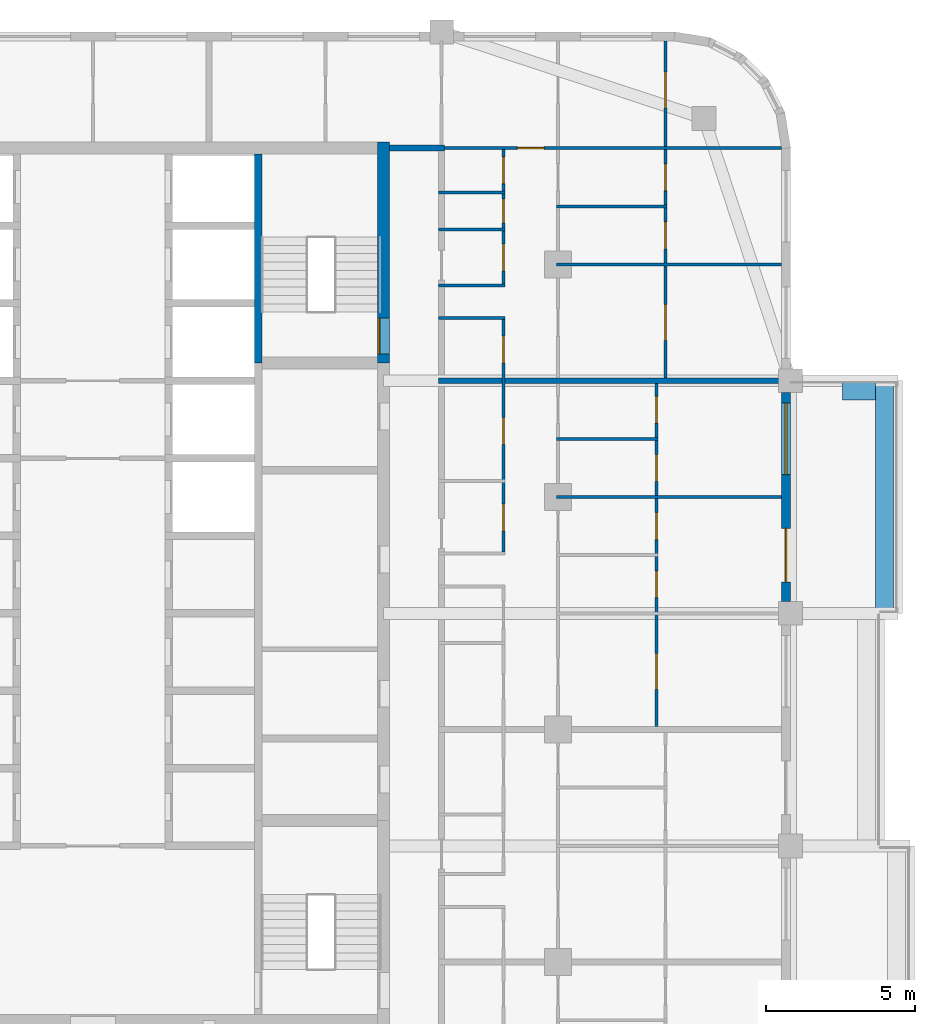
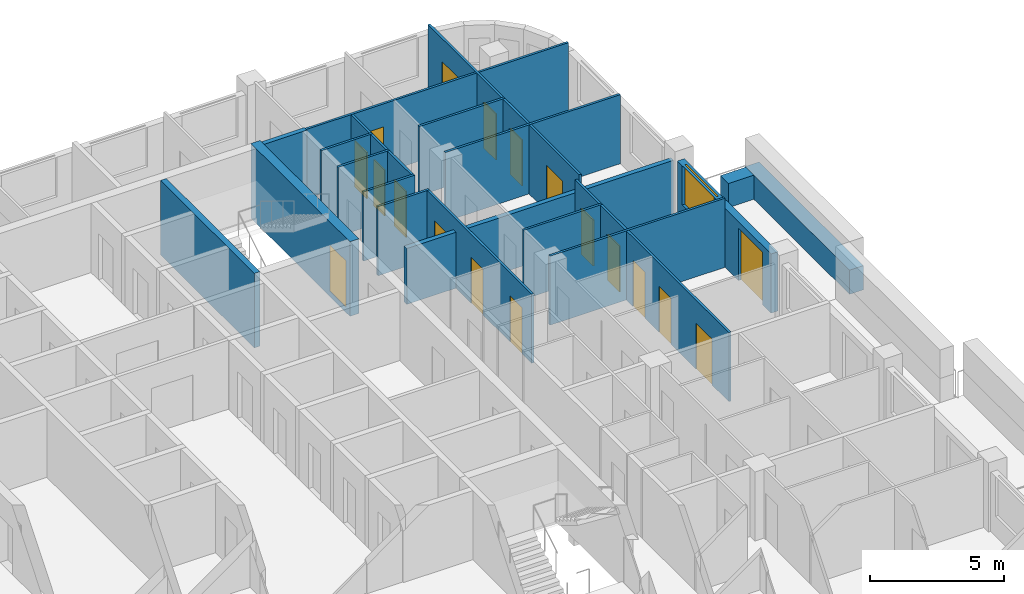
# One storey, part 11 of 17: 20 walls, 18 doors, 1 window, 19 openings.
"""IFC4 building model written with IfcOpenShell, lengths in metres."""

from ifc_helpers import new_model, si_unit, direction, frame, frame_2d, origin, place, context, subcontext, project, spatial, rectangle, extrude, material, layer, layer_set, type_object, element, fill, save


model = new_model("IFC4")

# Units and contexts
model_context = context("Model", 3, precision=1e-05, world=origin(), true_north=direction((0.0, 1.0)))
body_context = subcontext(model_context, "Body", "Model", "MODEL_VIEW")
ifc_project = project(units=[si_unit("LENGTHUNIT", "METRE"), si_unit("AREAUNIT", "SQUARE_METRE"), si_unit("VOLUMEUNIT", "CUBIC_METRE"), si_unit("PLANEANGLEUNIT", "RADIAN"), si_unit("MASSUNIT", "GRAM", prefix="KILO")], contexts=[model_context])

# Site, building, storey
site_placement = place(None, origin())
site = spatial("IfcSite", under=ifc_project, at=site_placement, CompositionType="ELEMENT")
building_placement = place(site_placement, origin())
building = spatial("IfcBuilding", under=site, at=building_placement, Name="Ludao Terraces", CompositionType="ELEMENT")
storey_placement = place(building_placement, frame((0.0, 0.0, 221.10009765625)))
storey = spatial("IfcBuildingStorey", under=building, at=storey_placement, Name="L60", CompositionType="ELEMENT", Elevation=221.10009765625)

# Wall, opening, door
ifc_material_1 = material(Name="Concrete C50", Category="concrete")
ifc_layer_1 = layer(ifc_material_1, 0.39990234375)
ifc_layer_set_1 = layer_set([ifc_layer_1], Name="Core wall 400 C50")
wall_type_1 = type_object("IfcWallType", Name="Core wall 400 C50", PredefinedType="SOLIDWALL", material=ifc_layer_set_1)
wall_1_placement = place(storey_placement, frame((94.75, 77.300048828125, -0.25), z_axis=(0.0, 0.0, 1.0), x_axis=(0.0, 1.0, 0.0)))
wall_1 = element("IfcWall", 1, at=wall_1_placement, inside=storey, type_object=wall_type_1, Name="Core wall L60 outer-E-S2", PredefinedType="SOLIDWALL", context=body_context, shape_type="SweptSolid", body=[
    extrude(rectangle(XDim=7.39990234375, YDim=0.39990234375, at=frame_2d((3.699951171875, 0.0))), origin(), (0.0, 0.0, 1.0), 3.39990234375),
])
opening_1_placement = place(wall_1_placement, frame((0.300048828125, 0.0, 0.25)))
opening_1 = element("IfcOpeningElement", 2, at=opening_1_placement, cuts=wall_1, Name="Opening R21-111", PredefinedType="OPENING", context=body_context, shape_type="SweptSolid", body=[
    extrude(rectangle(XDim=1.199951171875, YDim=2.10009765625, at=frame_2d((0.60009765625, 1.050048828125))), frame((0.0, 0.2099609375, 0.0), z_axis=(0.0, -1.0, 0.0), x_axis=(1.0, 0.0, 0.0)), (0.0, 0.0, 1.0), 0.419921875),
])
ifc_material_2 = material(Name="Steel Q235", Category="steel")
door_type_1 = type_object("IfcDoorType", Name="INT Stair door 1200", OperationType="DOUBLE_DOOR_SINGLE_SWING", PredefinedType="DOOR", material=ifc_material_2)
door_1_placement = place(opening_1_placement, origin())
door_1 = element("IfcDoor", 3, at=door_1_placement, inside=storey, type_object=door_type_1, Name="DOOR 111", OperationType="DOUBLE_DOOR_SINGLE_SWING", OverallHeight=2.10009765625, OverallWidth=1.199951171875, PredefinedType="DOOR", context=body_context, shape_type="SweptSolid", body=[
    extrude(rectangle(XDim=1.199951171875, YDim=2.10009765625, at=frame_2d((0.60009765625, 1.050048828125))), frame((0.0, 0.18505859375, 0.0), z_axis=(0.0, -1.0, 0.0), x_axis=(1.0, 0.0, 0.0)), (0.0, 0.0, 1.0), 0.050048828125),
])
fill(opening_1, door_1)

# Walls
ifc_material_3 = material(Name="Concrete C40", Category="concrete")
ifc_layer_2 = layer(ifc_material_3, 0.60009765625)
ifc_layer_set_2 = layer_set([ifc_layer_2], Name="ENV Planter trough 600")
wall_type_2 = type_object("IfcWallType", Name="ENV Planter trough 600", PredefinedType="USERDEFINED", material=ifc_layer_set_2)
wall_2_placement = place(storey_placement, frame((111.550048828125, 68.89990234375, 0.0), z_axis=(0.0, 0.0, 1.0), x_axis=(0.0, 1.0, 0.0)))
element("IfcWall", 4, at=wall_2_placement, inside=storey, type_object=wall_type_2, Name="PL-L60-E3", ObjectType="PLANTER", PredefinedType="USERDEFINED", context=body_context, shape_type="SweptSolid", body=[
    extrude(rectangle(XDim=7.800048828125, YDim=0.60009765625, at=frame_2d((3.89990234375, 0.0))), origin(), (0.0, 0.0, 1.0), 1.099853515625),
])
wall_3_placement = place(storey_placement, frame((111.25, 76.35009765625, 0.0), z_axis=(0.0, 0.0, 1.0), x_axis=(-1.0, 0.0, 0.0)))
element("IfcWall", 5, at=wall_3_placement, inside=storey, type_object=wall_type_2, Name="PL-L60-E3-SB", ObjectType="PLANTER", PredefinedType="USERDEFINED", context=body_context, shape_type="SweptSolid", body=[
    extrude(rectangle(XDim=1.10009765625, YDim=0.60009765625, at=frame_2d((0.550048828125, 0.0))), origin(), (0.0, 0.0, 1.0), 1.099853515625),
])

# Wall, openings, door, window
ifc_material_4 = material(Name="Granite cladding", Category="masonry")
ifc_layer_3 = layer(ifc_material_4, 0.0400390625, Category="stone")
ifc_material_5 = material(Name="Mineral wool")
ifc_layer_4 = layer(ifc_material_5, 0.06005859375)
ifc_layer_5 = layer(ifc_material_3, 0.199951171875, Category="concrete")
ifc_layer_set_3 = layer_set([ifc_layer_3, ifc_layer_4, ifc_layer_5], Name="ENV Stone-clad wall 300")
wall_type_3 = type_object("IfcWallType", Name="ENV Stone-clad wall 300", PredefinedType="SOLIDWALL", material=ifc_layer_set_3)
wall_4_placement = place(storey_placement, frame((108.25, 69.300048828125, 0.0), z_axis=(0.0, 0.0, 1.0), x_axis=(0.0, 1.0, 0.0)))
wall_4 = element("IfcWall", 6, at=wall_4_placement, inside=storey, type_object=wall_type_3, Name="EW-L60-E4", PredefinedType="SOLIDWALL", context=body_context, shape_type="SweptSolid", body=[
    extrude(rectangle(XDim=7.0, YDim=0.300048828125, at=frame_2d((3.5, 0.0))), origin(), (0.0, 0.0, 1.0), 2.699951171875),
])
opening_2_placement = place(wall_4_placement, frame((0.64990234375, 0.0, 0.0)))
opening_2 = element("IfcOpeningElement", 7, at=opening_2_placement, cuts=wall_4, Name="Opening BD", PredefinedType="OPENING", context=body_context, shape_type="SweptSolid", body=[
    extrude(rectangle(XDim=1.800048828125, YDim=2.39990234375, at=frame_2d((0.89990234375, 1.199951171875))), frame((0.0, 0.16015625, 0.0), z_axis=(0.0, -1.0, 0.0), x_axis=(1.0, 0.0, 0.0)), (0.0, 0.0, 1.0), 0.320068359375),
])
opening_3_placement = place(wall_4_placement, frame((4.25, 0.0, 0.89990234375)))
opening_3 = element("IfcOpeningElement", 8, at=opening_3_placement, cuts=wall_4, Name="Opening W1", PredefinedType="OPENING", context=body_context, shape_type="SweptSolid", body=[
    extrude(rectangle(XDim=2.39990234375, YDim=1.800048828125, at=frame_2d((1.199951171875, 0.89990234375))), frame((0.0, 0.16015625, 0.0), z_axis=(0.0, -1.0, 0.0), x_axis=(1.0, 0.0, 0.0)), (0.0, 0.0, 1.0), 0.320068359375),
])
ifc_material_6 = material(Name="Aluminium glazed door", Category="aluminium")
ifc_layer_6 = layer(ifc_material_6, 0.06005859375)
ifc_layer_set_4 = layer_set([ifc_layer_6], Name="ENV Balcony door BD 1800x2400")
door_type_2 = type_object("IfcDoorType", Name="ENV Balcony door BD 1800x2400", OperationType="DOUBLE_DOOR_SINGLE_SWING", PredefinedType="DOOR", material=ifc_layer_set_4)
door_2_placement = place(opening_2_placement, origin())
door_2 = element("IfcDoor", 9, at=door_2_placement, inside=storey, type_object=door_type_2, Name="BD-L60-E4-1", OperationType="DOUBLE_DOOR_SINGLE_SWING", OverallHeight=2.39990234375, OverallWidth=1.800048828125, PredefinedType="DOOR", context=body_context, shape_type="SweptSolid", body=[
    extrude(rectangle(XDim=1.800048828125, YDim=2.39990234375, at=frame_2d((0.89990234375, 1.199951171875))), frame((0.0, 0.02490234375, 0.0), z_axis=(0.0, -1.0, 0.0), x_axis=(1.0, 0.0, 0.0)), (0.0, 0.0, 1.0), 0.050048828125),
])
fill(opening_2, door_2)
ifc_material_7 = material(Name="Clear glass in aluminium frame", Category="aluminium")
ifc_layer_7 = layer(ifc_material_7, 0.06005859375)
ifc_layer_set_5 = layer_set([ifc_layer_7], Name="ENV Window W1 2400x1800")
window_type = type_object("IfcWindowType", Name="ENV Window W1 2400x1800", PartitioningType="DOUBLE_PANEL_VERTICAL", PredefinedType="WINDOW", material=ifc_layer_set_5)
window_placement = place(opening_3_placement, origin())
window = element("IfcWindow", 10, at=window_placement, inside=storey, type_object=window_type, Name="W-L60-E4-2", OverallHeight=1.800048828125, OverallWidth=2.39990234375, PartitioningType="DOUBLE_PANEL_VERTICAL", PredefinedType="WINDOW", context=body_context, shape_type="SweptSolid", body=[
    extrude(rectangle(XDim=2.39990234375, YDim=1.800048828125, at=frame_2d((1.199951171875, 0.89990234375))), frame((0.0, 0.030029296875, 0.0), z_axis=(0.0, -1.0, 0.0), x_axis=(1.0, 0.0, 0.0)), (0.0, 0.0, 1.0), 0.06005859375),
])
fill(opening_3, window)

# Walls
ifc_material_8 = material(Name="Autoclaved aerated concrete block B06 A3.5", Category="concrete")
ifc_layer_8 = layer(ifc_material_8, 0.199951171875)
ifc_layer_set_6 = layer_set([ifc_layer_8], Name="INT Entrance wall 200")
wall_type_4 = type_object("IfcWallType", Name="INT Entrance wall 200", PredefinedType="PARTITIONING", material=ifc_layer_set_6)
wall_5_placement = place(storey_placement, frame((94.9501953125, 84.5, 0.0), z_axis=(0.0, 0.0, 1.0), x_axis=(1.0, 0.0, 0.0)))
element("IfcWall", 11, at=wall_5_placement, inside=storey, type_object=wall_type_4, Name="PW-L60-PW068", PredefinedType="PARTITIONING", context=body_context, shape_type="SweptSolid", body=[
    extrude(rectangle(XDim=1.849853515625, YDim=0.199951171875, at=frame_2d((0.9248046875, 0.0))), origin(), (0.0, 0.0, 1.0), 3.14990234375),
])
ifc_material_9 = material(Name="Gypsum plasterboard", Category="gypsum")
ifc_layer_9 = layer(ifc_material_9, 0.012451171875, Category="gypsum")
ifc_layer_10 = layer(ifc_material_5, 0.06005859375, Name="insulation")
ifc_layer_11 = layer(ifc_material_2, 0.014892578125, Name="stud")
ifc_layer_12 = layer(ifc_material_9, 0.012451171875, Category="gypsum")
ifc_layer_set_7 = layer_set([ifc_layer_9, ifc_layer_10, ifc_layer_11, ifc_layer_12], Name="INT Partition 100")
wall_type_5 = type_object("IfcWallType", Name="INT Partition 100", PredefinedType="PARTITIONING", material=ifc_layer_set_7)
wall_6_placement = place(storey_placement, frame((100.550048828125, 72.800048828125, 0.0), z_axis=(0.0, 0.0, 1.0), x_axis=(1.0, 0.0, 0.0)))
element("IfcWall", 12, at=wall_6_placement, inside=storey, type_object=wall_type_5, Name="PW-L60-PW046", PredefinedType="PARTITIONING", context=body_context, shape_type="SweptSolid", body=[
    extrude(rectangle(XDim=7.550048828125, YDim=0.10009765625, at=frame_2d((3.77490234375, 0.0))), origin(), (0.0, 0.0, 1.0), 3.14990234375),
])
wall_7_placement = place(storey_placement, frame((100.550048828125, 74.75, 0.0), z_axis=(0.0, 0.0, 1.0), x_axis=(1.0, 0.0, 0.0)))
element("IfcWall", 13, at=wall_7_placement, inside=storey, type_object=wall_type_5, Name="PW-L60-PW050", PredefinedType="PARTITIONING", context=body_context, shape_type="SweptSolid", body=[
    extrude(rectangle(XDim=3.400146484375, YDim=0.10009765625, at=frame_2d((1.7001953125, 0.0))), origin(), (0.0, 0.0, 1.0), 3.14990234375),
])
for number, where, z_axis, x_axis, name in (
    (14, (96.60009765625, 78.800048828125, 0.0), (0.0, 0.0, 1.0), (1.0, 0.0, 0.0), "PW-L60-PW057"),
    (15, (96.60009765625, 79.89990234375, 0.0), (0.0, 0.0, 1.0), (1.0, 0.0, 0.0), "PW-L60-PW058"),
):
    element("IfcWall", number, at=place(storey_placement, frame(where, z_axis=z_axis, x_axis=x_axis)), inside=storey, type_object=wall_type_5, Name=name, PredefinedType="PARTITIONING", context=body_context, shape_type="SweptSolid", body=[
        extrude(rectangle(XDim=2.219970703125, YDim=0.10009765625, at=frame_2d((1.10986328125, 0.0))), origin(), (0.0, 0.0, 1.0), 3.14990234375),
    ])
wall_8_placement = place(storey_placement, frame((100.550048828125, 80.60009765625, 0.0), z_axis=(0.0, 0.0, 1.0), x_axis=(1.0, 0.0, 0.0)))
element("IfcWall", 16, at=wall_8_placement, inside=storey, type_object=wall_type_5, Name="PW-L60-PW060", PredefinedType="PARTITIONING", context=body_context, shape_type="SweptSolid", body=[
    extrude(rectangle(XDim=7.550048828125, YDim=0.10009765625, at=frame_2d((3.77490234375, 0.0))), origin(), (0.0, 0.0, 1.0), 3.14990234375),
])
wall_9_placement = place(storey_placement, frame((96.60009765625, 81.77001953125, 0.0), z_axis=(0.0, 0.0, 1.0), x_axis=(1.0, 0.0, 0.0)))
element("IfcWall", 17, at=wall_9_placement, inside=storey, type_object=wall_type_5, Name="PW-L60-PW061", PredefinedType="PARTITIONING", context=body_context, shape_type="SweptSolid", body=[
    extrude(rectangle(XDim=2.219970703125, YDim=0.10009765625, at=frame_2d((1.10986328125, 0.0))), origin(), (0.0, 0.0, 1.0), 3.14990234375),
])
wall_10_placement = place(storey_placement, frame((100.550048828125, 82.550048828125, 0.0), z_axis=(0.0, 0.0, 1.0), x_axis=(1.0, 0.0, 0.0)))
element("IfcWall", 18, at=wall_10_placement, inside=storey, type_object=wall_type_5, Name="PW-L60-PW064", PredefinedType="PARTITIONING", context=body_context, shape_type="SweptSolid", body=[
    extrude(rectangle(XDim=3.699951171875, YDim=0.10009765625, at=frame_2d((1.85009765625, 0.0))), origin(), (0.0, 0.0, 1.0), 3.14990234375),
])
wall_11_placement = place(storey_placement, frame((96.60009765625, 83.02001953125, 0.0), z_axis=(0.0, 0.0, 1.0), x_axis=(1.0, 0.0, 0.0)))
element("IfcWall", 19, at=wall_11_placement, inside=storey, type_object=wall_type_5, Name="PW-L60-PW065", PredefinedType="PARTITIONING", context=body_context, shape_type="SweptSolid", body=[
    extrude(rectangle(XDim=2.219970703125, YDim=0.10009765625, at=frame_2d((1.10986328125, 0.0))), origin(), (0.0, 0.0, 1.0), 3.14990234375),
])

# Wall, opening, door
wall_12_placement = place(storey_placement, frame((96.60009765625, 84.5, 0.0), z_axis=(0.0, 0.0, 1.0), x_axis=(1.0, 0.0, 0.0)))
wall_12 = element("IfcWall", 20, at=wall_12_placement, inside=storey, type_object=wall_type_5, Name="PW-L60-PW069", PredefinedType="PARTITIONING", context=body_context, shape_type="SweptSolid", body=[
    extrude(rectangle(XDim=11.5, YDim=0.10009765625, at=frame_2d((5.75, 0.0))), origin(), (0.0, 0.0, 1.0), 3.14990234375),
])
opening_4_placement = place(wall_12_placement, frame((2.635009765625, 0.0, 0.0)))
opening_4 = element("IfcOpeningElement", 21, at=opening_4_placement, cuts=wall_12, Name="Opening R21-134", PredefinedType="OPENING", context=body_context, shape_type="SweptSolid", body=[
    extrude(rectangle(XDim=0.89990234375, YDim=2.10009765625, at=frame_2d((0.449951171875, 1.050048828125))), frame((0.0, 0.06005859375, 0.0), z_axis=(0.0, -1.0, 0.0), x_axis=(1.0, 0.0, 0.0)), (0.0, 0.0, 1.0), 0.1201171875),
])
ifc_material_10 = material(Name="Timber door leaf", Category="wood")
door_type_3 = type_object("IfcDoorType", Name="INT Room door 900", OperationType="SINGLE_SWING_LEFT", PredefinedType="DOOR", material=ifc_material_10)
door_3_placement = place(opening_4_placement, origin())
door_3 = element("IfcDoor", 22, at=door_3_placement, inside=storey, type_object=door_type_3, Name="DOOR 134", OperationType="SINGLE_SWING_RIGHT", OverallHeight=2.10009765625, OverallWidth=0.89990234375, PredefinedType="DOOR", context=body_context, shape_type="SweptSolid", body=[
    extrude(rectangle(XDim=0.89990234375, YDim=2.10009765625, at=frame_2d((0.449951171875, 1.050048828125))), frame((0.0, 0.02490234375, 0.0), z_axis=(0.0, -1.0, 0.0), x_axis=(1.0, 0.0, 0.0)), (0.0, 0.0, 1.0), 0.050048828125),
])
fill(opening_4, door_3)

# Wall, openings, doors
wall_13_placement = place(storey_placement, frame((98.77001953125, 70.9501953125, 0.0), z_axis=(0.0, 0.0, 1.0), x_axis=(0.0, 1.0, 0.0)))
wall_13 = element("IfcWall", 23, at=wall_13_placement, inside=storey, type_object=wall_type_5, Name="PW-L60-PW095", PredefinedType="PARTITIONING", context=body_context, shape_type="SweptSolid", body=[
    extrude(rectangle(XDim=7.7998046875, YDim=0.10009765625, at=frame_2d((3.89990234375, 0.0))), origin(), (0.0, 0.0, 1.0), 3.14990234375),
])
opening_5_placement = place(wall_13_placement, frame((0.71484375, 0.0, 0.0)))
opening_5 = element("IfcOpeningElement", 24, at=opening_5_placement, cuts=wall_13, Name="Opening R21-089", PredefinedType="OPENING", context=body_context, shape_type="SweptSolid", body=[
    extrude(rectangle(XDim=0.89990234375, YDim=2.10009765625, at=frame_2d((0.449951171875, 1.050048828125))), frame((0.0, 0.06005859375, 0.0), z_axis=(0.0, -1.0, 0.0), x_axis=(1.0, 0.0, 0.0)), (0.0, 0.0, 1.0), 0.1201171875),
])
opening_6_placement = place(wall_13_placement, frame((3.614990234375, 0.0, 0.0)))
opening_6 = element("IfcOpeningElement", 25, at=opening_6_placement, cuts=wall_13, Name="Opening R21-096", PredefinedType="OPENING", context=body_context, shape_type="SweptSolid", body=[
    extrude(rectangle(XDim=0.89990234375, YDim=2.10009765625, at=frame_2d((0.449951171875, 1.050048828125))), frame((0.0, 0.06005859375, 0.0), z_axis=(0.0, -1.0, 0.0), x_axis=(1.0, 0.0, 0.0)), (0.0, 0.0, 1.0), 0.1201171875),
])
opening_7_placement = place(wall_13_placement, frame((6.349853515625, 0.0, 0.0)))
opening_7 = element("IfcOpeningElement", 26, at=opening_7_placement, cuts=wall_13, Name="Opening R21-107", PredefinedType="OPENING", context=body_context, shape_type="SweptSolid", body=[
    extrude(rectangle(XDim=0.89990234375, YDim=2.10009765625, at=frame_2d((0.449951171875, 1.050048828125))), frame((0.0, 0.06005859375, 0.0), z_axis=(0.0, -1.0, 0.0), x_axis=(1.0, 0.0, 0.0)), (0.0, 0.0, 1.0), 0.1201171875),
])
door_type_4 = type_object("IfcDoorType", Name="INT Bathroom door 900", OperationType="SINGLE_SWING_LEFT", PredefinedType="DOOR", material=ifc_material_10)
door_4_placement = place(opening_5_placement, origin())
door_4 = element("IfcDoor", 27, at=door_4_placement, inside=storey, type_object=door_type_4, Name="DOOR 089", OperationType="SINGLE_SWING_LEFT", OverallHeight=2.10009765625, OverallWidth=0.89990234375, PredefinedType="DOOR", context=body_context, shape_type="SweptSolid", body=[
    extrude(rectangle(XDim=0.89990234375, YDim=2.10009765625, at=frame_2d((0.449951171875, 1.050048828125))), frame((0.0, 0.02490234375, 0.0), z_axis=(0.0, -1.0, 0.0), x_axis=(1.0, 0.0, 0.0)), (0.0, 0.0, 1.0), 0.050048828125),
])
fill(opening_5, door_4)
door_5_placement = place(opening_7_placement, origin())
door_5 = element("IfcDoor", 28, at=door_5_placement, inside=storey, type_object=door_type_4, Name="DOOR 107", OperationType="SINGLE_SWING_LEFT", OverallHeight=2.10009765625, OverallWidth=0.89990234375, PredefinedType="DOOR", context=body_context, shape_type="SweptSolid", body=[
    extrude(rectangle(XDim=0.89990234375, YDim=2.10009765625, at=frame_2d((0.449951171875, 1.050048828125))), frame((0.0, 0.02490234375, 0.0), z_axis=(0.0, -1.0, 0.0), x_axis=(1.0, 0.0, 0.0)), (0.0, 0.0, 1.0), 0.050048828125),
])
fill(opening_7, door_5)
door_6_placement = place(opening_6_placement, origin())
door_6 = element("IfcDoor", 29, at=door_6_placement, inside=storey, type_object=door_type_3, Name="DOOR 096", OperationType="SINGLE_SWING_RIGHT", OverallHeight=2.10009765625, OverallWidth=0.89990234375, PredefinedType="DOOR", context=body_context, shape_type="SweptSolid", body=[
    extrude(rectangle(XDim=0.89990234375, YDim=2.10009765625, at=frame_2d((0.449951171875, 1.050048828125))), frame((0.0, 0.02490234375, 0.0), z_axis=(0.0, -1.0, 0.0), x_axis=(1.0, 0.0, 0.0)), (0.0, 0.0, 1.0), 0.050048828125),
])
fill(opening_6, door_6)

wall_14_placement = place(storey_placement, frame((98.77001953125, 79.9501953125, 0.0), z_axis=(0.0, 0.0, 1.0), x_axis=(0.0, 1.0, 0.0)))
wall_14 = element("IfcWall", 30, at=wall_14_placement, inside=storey, type_object=wall_type_5, Name="PW-L60-PW096", PredefinedType="PARTITIONING", context=body_context, shape_type="SweptSolid", body=[
    extrude(rectangle(XDim=4.5, YDim=0.10009765625, at=frame_2d((2.25, 0.0))), origin(), (0.0, 0.0, 1.0), 3.14990234375),
])
opening_8_placement = place(wall_14_placement, frame((0.434814453125, 0.0, 0.0)))
opening_8 = element("IfcOpeningElement", 31, at=opening_8_placement, cuts=wall_14, Name="Opening R21-121", PredefinedType="OPENING", context=body_context, shape_type="SweptSolid", body=[
    extrude(rectangle(XDim=0.89990234375, YDim=2.10009765625, at=frame_2d((0.449951171875, 1.050048828125))), frame((0.0, 0.06005859375, 0.0), z_axis=(0.0, -1.0, 0.0), x_axis=(1.0, 0.0, 0.0)), (0.0, 0.0, 1.0), 0.1201171875),
])
opening_9_placement = place(wall_14_placement, frame((2.044921875, 0.0, 0.0)))
opening_9 = element("IfcOpeningElement", 32, at=opening_9_placement, cuts=wall_14, Name="Opening R21-124", PredefinedType="OPENING", context=body_context, shape_type="SweptSolid", body=[
    extrude(rectangle(XDim=0.800048828125, YDim=2.10009765625, at=frame_2d((0.39990234375, 1.050048828125))), frame((0.0, 0.06005859375, 0.0), z_axis=(0.0, -1.0, 0.0), x_axis=(1.0, 0.0, 0.0)), (0.0, 0.0, 1.0), 0.1201171875),
])
opening_10_placement = place(wall_14_placement, frame((3.35986328125, 0.0, 0.0)))
opening_10 = element("IfcOpeningElement", 33, at=opening_10_placement, cuts=wall_14, Name="Opening R21-132", PredefinedType="OPENING", context=body_context, shape_type="SweptSolid", body=[
    extrude(rectangle(XDim=0.89990234375, YDim=2.10009765625, at=frame_2d((0.449951171875, 1.050048828125))), frame((0.0, 0.06005859375, 0.0), z_axis=(0.0, -1.0, 0.0), x_axis=(1.0, 0.0, 0.0)), (0.0, 0.0, 1.0), 0.1201171875),
])
door_7_placement = place(opening_10_placement, origin())
door_7 = element("IfcDoor", 34, at=door_7_placement, inside=storey, type_object=door_type_4, Name="DOOR 132", OperationType="SINGLE_SWING_LEFT", OverallHeight=2.10009765625, OverallWidth=0.89990234375, PredefinedType="DOOR", context=body_context, shape_type="SweptSolid", body=[
    extrude(rectangle(XDim=0.89990234375, YDim=2.10009765625, at=frame_2d((0.449951171875, 1.050048828125))), frame((0.0, 0.02490234375, 0.0), z_axis=(0.0, -1.0, 0.0), x_axis=(1.0, 0.0, 0.0)), (0.0, 0.0, 1.0), 0.050048828125),
])
fill(opening_10, door_7)
door_8_placement = place(opening_8_placement, origin())
door_8 = element("IfcDoor", 35, at=door_8_placement, inside=storey, type_object=door_type_3, Name="DOOR 121", OperationType="SINGLE_SWING_LEFT", OverallHeight=2.10009765625, OverallWidth=0.89990234375, PredefinedType="DOOR", context=body_context, shape_type="SweptSolid", body=[
    extrude(rectangle(XDim=0.89990234375, YDim=2.10009765625, at=frame_2d((0.449951171875, 1.050048828125))), frame((0.0, 0.02490234375, 0.0), z_axis=(0.0, -1.0, 0.0), x_axis=(1.0, 0.0, 0.0)), (0.0, 0.0, 1.0), 0.050048828125),
])
fill(opening_8, door_8)
door_type_5 = type_object("IfcDoorType", Name="INT Store door 800", OperationType="SINGLE_SWING_LEFT", PredefinedType="DOOR", material=ifc_material_10)
door_9_placement = place(opening_9_placement, origin())
door_9 = element("IfcDoor", 36, at=door_9_placement, inside=storey, type_object=door_type_5, Name="DOOR 124", OperationType="SINGLE_SWING_LEFT", OverallHeight=2.10009765625, OverallWidth=0.800048828125, PredefinedType="DOOR", context=body_context, shape_type="SweptSolid", body=[
    extrude(rectangle(XDim=0.800048828125, YDim=2.10009765625, at=frame_2d((0.39990234375, 1.050048828125))), frame((0.0, 0.02490234375, 0.0), z_axis=(0.0, -1.0, 0.0), x_axis=(1.0, 0.0, 0.0)), (0.0, 0.0, 1.0), 0.050048828125),
])
fill(opening_9, door_9)

wall_15_placement = place(storey_placement, frame((103.89990234375, 65.10009765625, 0.0), z_axis=(0.0, 0.0, 1.0), x_axis=(0.0, 1.0, 0.0)))
wall_15 = element("IfcWall", 37, at=wall_15_placement, inside=storey, type_object=wall_type_5, Name="PW-L60-PW098", PredefinedType="PARTITIONING", context=body_context, shape_type="SweptSolid", body=[
    extrude(rectangle(XDim=11.5, YDim=0.10009765625, at=frame_2d((5.75, 0.0))), origin(), (0.0, 0.0, 1.0), 3.14990234375),
])
opening_11_placement = place(wall_15_placement, frame((1.25, 0.0, 0.0)))
opening_11 = element("IfcOpeningElement", 38, at=opening_11_placement, cuts=wall_15, Name="Opening R21-071", PredefinedType="OPENING", context=body_context, shape_type="SweptSolid", body=[
    extrude(rectangle(XDim=1.199951171875, YDim=2.10009765625, at=frame_2d((0.60009765625, 1.050048828125))), frame((0.0, 0.06005859375, 0.0), z_axis=(0.0, -1.0, 0.0), x_axis=(1.0, 0.0, 0.0)), (0.0, 0.0, 1.0), 0.1201171875),
])
opening_12_placement = place(wall_15_placement, frame((4.324951171875, 0.0, 0.0)))
opening_12 = element("IfcOpeningElement", 39, at=opening_12_placement, cuts=wall_15, Name="Opening R21-079", PredefinedType="OPENING", context=body_context, shape_type="SweptSolid", body=[
    extrude(rectangle(XDim=0.89990234375, YDim=2.10009765625, at=frame_2d((0.449951171875, 1.050048828125))), frame((0.0, 0.06005859375, 0.0), z_axis=(0.0, -1.0, 0.0), x_axis=(1.0, 0.0, 0.0)), (0.0, 0.0, 1.0), 0.1201171875),
])
opening_13_placement = place(wall_15_placement, frame((6.27490234375, 0.0, 0.0)))
opening_13 = element("IfcOpeningElement", 40, at=opening_13_placement, cuts=wall_15, Name="Opening R21-088", PredefinedType="OPENING", context=body_context, shape_type="SweptSolid", body=[
    extrude(rectangle(XDim=0.89990234375, YDim=2.10009765625, at=frame_2d((0.449951171875, 1.050048828125))), frame((0.0, 0.06005859375, 0.0), z_axis=(0.0, -1.0, 0.0), x_axis=(1.0, 0.0, 0.0)), (0.0, 0.0, 1.0), 0.1201171875),
])
opening_14_placement = place(wall_15_placement, frame((8.22509765625, 0.0, 0.0)))
opening_14 = element("IfcOpeningElement", 41, at=opening_14_placement, cuts=wall_15, Name="Opening R21-093", PredefinedType="OPENING", context=body_context, shape_type="SweptSolid", body=[
    extrude(rectangle(XDim=0.89990234375, YDim=2.10009765625, at=frame_2d((0.449951171875, 1.050048828125))), frame((0.0, 0.06005859375, 0.0), z_axis=(0.0, -1.0, 0.0), x_axis=(1.0, 0.0, 0.0)), (0.0, 0.0, 1.0), 0.1201171875),
])
opening_15_placement = place(wall_15_placement, frame((10.175048828125, 0.0, 0.0)))
opening_15 = element("IfcOpeningElement", 42, at=opening_15_placement, cuts=wall_15, Name="Opening R21-104", PredefinedType="OPENING", context=body_context, shape_type="SweptSolid", body=[
    extrude(rectangle(XDim=0.89990234375, YDim=2.10009765625, at=frame_2d((0.449951171875, 1.050048828125))), frame((0.0, 0.06005859375, 0.0), z_axis=(0.0, -1.0, 0.0), x_axis=(1.0, 0.0, 0.0)), (0.0, 0.0, 1.0), 0.1201171875),
])
door_10_placement = place(opening_12_placement, origin())
door_10 = element("IfcDoor", 43, at=door_10_placement, inside=storey, type_object=door_type_4, Name="DOOR 079", OperationType="SINGLE_SWING_LEFT", OverallHeight=2.10009765625, OverallWidth=0.89990234375, PredefinedType="DOOR", context=body_context, shape_type="SweptSolid", body=[
    extrude(rectangle(XDim=0.89990234375, YDim=2.10009765625, at=frame_2d((0.449951171875, 1.050048828125))), frame((0.0, 0.02490234375, 0.0), z_axis=(0.0, -1.0, 0.0), x_axis=(1.0, 0.0, 0.0)), (0.0, 0.0, 1.0), 0.050048828125),
])
fill(opening_12, door_10)
door_11_placement = place(opening_14_placement, origin())
door_11 = element("IfcDoor", 44, at=door_11_placement, inside=storey, type_object=door_type_4, Name="DOOR 093", OperationType="SINGLE_SWING_LEFT", OverallHeight=2.10009765625, OverallWidth=0.89990234375, PredefinedType="DOOR", context=body_context, shape_type="SweptSolid", body=[
    extrude(rectangle(XDim=0.89990234375, YDim=2.10009765625, at=frame_2d((0.449951171875, 1.050048828125))), frame((0.0, 0.02490234375, 0.0), z_axis=(0.0, -1.0, 0.0), x_axis=(1.0, 0.0, 0.0)), (0.0, 0.0, 1.0), 0.050048828125),
])
fill(opening_14, door_11)
door_type_6 = type_object("IfcDoorType", Name="INT Double door 1200", OperationType="DOUBLE_DOOR_SINGLE_SWING", PredefinedType="DOOR", material=ifc_material_10)
door_12_placement = place(opening_11_placement, origin())
door_12 = element("IfcDoor", 45, at=door_12_placement, inside=storey, type_object=door_type_6, Name="DOOR 071", OperationType="DOUBLE_DOOR_SINGLE_SWING", OverallHeight=2.10009765625, OverallWidth=1.199951171875, PredefinedType="DOOR", context=body_context, shape_type="SweptSolid", body=[
    extrude(rectangle(XDim=1.199951171875, YDim=2.10009765625, at=frame_2d((0.60009765625, 1.050048828125))), frame((0.0, 0.02490234375, 0.0), z_axis=(0.0, -1.0, 0.0), x_axis=(1.0, 0.0, 0.0)), (0.0, 0.0, 1.0), 0.050048828125),
])
fill(opening_11, door_12)
door_13_placement = place(opening_13_placement, origin())
door_13 = element("IfcDoor", 46, at=door_13_placement, inside=storey, type_object=door_type_3, Name="DOOR 088", OperationType="SINGLE_SWING_RIGHT", OverallHeight=2.10009765625, OverallWidth=0.89990234375, PredefinedType="DOOR", context=body_context, shape_type="SweptSolid", body=[
    extrude(rectangle(XDim=0.89990234375, YDim=2.10009765625, at=frame_2d((0.449951171875, 1.050048828125))), frame((0.0, 0.02490234375, 0.0), z_axis=(0.0, -1.0, 0.0), x_axis=(1.0, 0.0, 0.0)), (0.0, 0.0, 1.0), 0.050048828125),
])
fill(opening_13, door_13)
door_14_placement = place(opening_15_placement, origin())
door_14 = element("IfcDoor", 47, at=door_14_placement, inside=storey, type_object=door_type_3, Name="DOOR 104", OperationType="SINGLE_SWING_RIGHT", OverallHeight=2.10009765625, OverallWidth=0.89990234375, PredefinedType="DOOR", context=body_context, shape_type="SweptSolid", body=[
    extrude(rectangle(XDim=0.89990234375, YDim=2.10009765625, at=frame_2d((0.449951171875, 1.050048828125))), frame((0.0, 0.02490234375, 0.0), z_axis=(0.0, -1.0, 0.0), x_axis=(1.0, 0.0, 0.0)), (0.0, 0.0, 1.0), 0.050048828125),
])
fill(opening_15, door_14)

wall_16_placement = place(storey_placement, frame((104.199951171875, 76.800048828125, 0.0), z_axis=(0.0, 0.0, 1.0), x_axis=(0.0, 1.0, 0.0)))
wall_16 = element("IfcWall", 48, at=wall_16_placement, inside=storey, type_object=wall_type_5, Name="PW-L60-PW100", PredefinedType="PARTITIONING", context=body_context, shape_type="SweptSolid", body=[
    extrude(rectangle(XDim=11.300048828125, YDim=0.10009765625, at=frame_2d((5.64990234375, 0.0))), origin(), (0.0, 0.0, 1.0), 3.14990234375),
])
opening_16_placement = place(wall_16_placement, frame((1.25, 0.0, 0.0)))
opening_16 = element("IfcOpeningElement", 49, at=opening_16_placement, cuts=wall_16, Name="Opening R21-115", PredefinedType="OPENING", context=body_context, shape_type="SweptSolid", body=[
    extrude(rectangle(XDim=1.199951171875, YDim=2.10009765625, at=frame_2d((0.60009765625, 1.050048828125))), frame((0.0, 0.06005859375, 0.0), z_axis=(0.0, -1.0, 0.0), x_axis=(1.0, 0.0, 0.0)), (0.0, 0.0, 1.0), 0.1201171875),
])
opening_17_placement = place(wall_16_placement, frame((4.324951171875, 0.0, 0.0)))
opening_17 = element("IfcOpeningElement", 50, at=opening_17_placement, cuts=wall_16, Name="Opening R21-123", PredefinedType="OPENING", context=body_context, shape_type="SweptSolid", body=[
    extrude(rectangle(XDim=0.89990234375, YDim=2.10009765625, at=frame_2d((0.449951171875, 1.050048828125))), frame((0.0, 0.06005859375, 0.0), z_axis=(0.0, -1.0, 0.0), x_axis=(1.0, 0.0, 0.0)), (0.0, 0.0, 1.0), 0.1201171875),
])
opening_18_placement = place(wall_16_placement, frame((6.27490234375, 0.0, 0.0)))
opening_18 = element("IfcOpeningElement", 51, at=opening_18_placement, cuts=wall_16, Name="Opening R21-131", PredefinedType="OPENING", context=body_context, shape_type="SweptSolid", body=[
    extrude(rectangle(XDim=0.89990234375, YDim=2.10009765625, at=frame_2d((0.449951171875, 1.050048828125))), frame((0.0, 0.06005859375, 0.0), z_axis=(0.0, -1.0, 0.0), x_axis=(1.0, 0.0, 0.0)), (0.0, 0.0, 1.0), 0.1201171875),
])
opening_19_placement = place(wall_16_placement, frame((9.050048828125, 0.0, 0.0)))
opening_19 = element("IfcOpeningElement", 52, at=opening_19_placement, cuts=wall_16, Name="Opening R21-144", PredefinedType="OPENING", context=body_context, shape_type="SweptSolid", body=[
    extrude(rectangle(XDim=1.199951171875, YDim=2.10009765625, at=frame_2d((0.60009765625, 1.050048828125))), frame((0.0, 0.06005859375, 0.0), z_axis=(0.0, -1.0, 0.0), x_axis=(1.0, 0.0, 0.0)), (0.0, 0.0, 1.0), 0.1201171875),
])
door_15_placement = place(opening_17_placement, origin())
door_15 = element("IfcDoor", 53, at=door_15_placement, inside=storey, type_object=door_type_4, Name="DOOR 123", OperationType="SINGLE_SWING_LEFT", OverallHeight=2.10009765625, OverallWidth=0.89990234375, PredefinedType="DOOR", context=body_context, shape_type="SweptSolid", body=[
    extrude(rectangle(XDim=0.89990234375, YDim=2.10009765625, at=frame_2d((0.449951171875, 1.050048828125))), frame((0.0, 0.02490234375, 0.0), z_axis=(0.0, -1.0, 0.0), x_axis=(1.0, 0.0, 0.0)), (0.0, 0.0, 1.0), 0.050048828125),
])
fill(opening_17, door_15)
door_16_placement = place(opening_16_placement, origin())
door_16 = element("IfcDoor", 54, at=door_16_placement, inside=storey, type_object=door_type_6, Name="DOOR 115", OperationType="DOUBLE_DOOR_SINGLE_SWING", OverallHeight=2.10009765625, OverallWidth=1.199951171875, PredefinedType="DOOR", context=body_context, shape_type="SweptSolid", body=[
    extrude(rectangle(XDim=1.199951171875, YDim=2.10009765625, at=frame_2d((0.60009765625, 1.050048828125))), frame((0.0, 0.02490234375, 0.0), z_axis=(0.0, -1.0, 0.0), x_axis=(1.0, 0.0, 0.0)), (0.0, 0.0, 1.0), 0.050048828125),
])
fill(opening_16, door_16)
door_17_placement = place(opening_19_placement, origin())
door_17 = element("IfcDoor", 55, at=door_17_placement, inside=storey, type_object=door_type_6, Name="DOOR 144", OperationType="DOUBLE_DOOR_SINGLE_SWING", OverallHeight=2.10009765625, OverallWidth=1.199951171875, PredefinedType="DOOR", context=body_context, shape_type="SweptSolid", body=[
    extrude(rectangle(XDim=1.199951171875, YDim=2.10009765625, at=frame_2d((0.60009765625, 1.050048828125))), frame((0.0, 0.02490234375, 0.0), z_axis=(0.0, -1.0, 0.0), x_axis=(1.0, 0.0, 0.0)), (0.0, 0.0, 1.0), 0.050048828125),
])
fill(opening_19, door_17)
door_18_placement = place(opening_18_placement, origin())
door_18 = element("IfcDoor", 56, at=door_18_placement, inside=storey, type_object=door_type_3, Name="DOOR 131", OperationType="SINGLE_SWING_LEFT", OverallHeight=2.10009765625, OverallWidth=0.89990234375, PredefinedType="DOOR", context=body_context, shape_type="SweptSolid", body=[
    extrude(rectangle(XDim=0.89990234375, YDim=2.10009765625, at=frame_2d((0.449951171875, 1.050048828125))), frame((0.0, 0.02490234375, 0.0), z_axis=(0.0, -1.0, 0.0), x_axis=(1.0, 0.0, 0.0)), (0.0, 0.0, 1.0), 0.050048828125),
])
fill(opening_18, door_18)

# Walls
ifc_layer_13 = layer(ifc_material_8, 0.199951171875)
ifc_layer_set_8 = layer_set([ifc_layer_13], Name="INT Party wall 200")
wall_type_6 = type_object("IfcWallType", Name="INT Party wall 200", PredefinedType="PARTITIONING", material=ifc_layer_set_8)
wall_17_placement = place(storey_placement, frame((96.60009765625, 76.699951171875, 0.0), z_axis=(0.0, 0.0, 1.0), x_axis=(1.0, 0.0, 0.0)))
element("IfcWall", 57, at=wall_17_placement, inside=storey, type_object=wall_type_6, Name="PW-L60-PW054", PredefinedType="PARTITIONING", context=body_context, shape_type="SweptSolid", body=[
    extrude(rectangle(XDim=11.5, YDim=0.199951171875, at=frame_2d((5.75, 0.0))), origin(), (0.0, 0.0, 1.0), 2.5498046875),
])
ifc_layer_14 = layer(ifc_material_1, 0.25)
ifc_layer_set_9 = layer_set([ifc_layer_14], Name="Shaft wall 250 C50")
wall_type_7 = type_object("IfcWallType", Name="Shaft wall 250 C50", PredefinedType="SOLIDWALL", material=ifc_layer_set_9)
wall_18_placement = place(storey_placement, frame((90.550048828125, 77.300048828125, -0.25), z_axis=(0.0, 0.0, 1.0), x_axis=(0.0, 1.0, 0.0)))
element("IfcWall", 58, at=wall_18_placement, inside=storey, type_object=wall_type_7, Name="Core wall L60 back-E-S2", PredefinedType="SOLIDWALL", context=body_context, shape_type="SweptSolid", body=[
    extrude(rectangle(XDim=7.0, YDim=0.25, at=frame_2d((3.5, 0.0))), origin(), (0.0, 0.0, 1.0), 3.39990234375),
])

save(model, "model.ifc")
